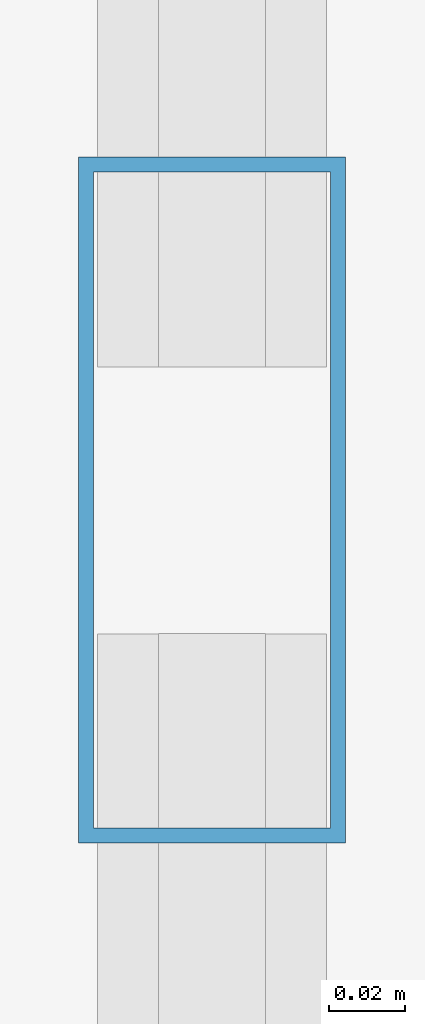
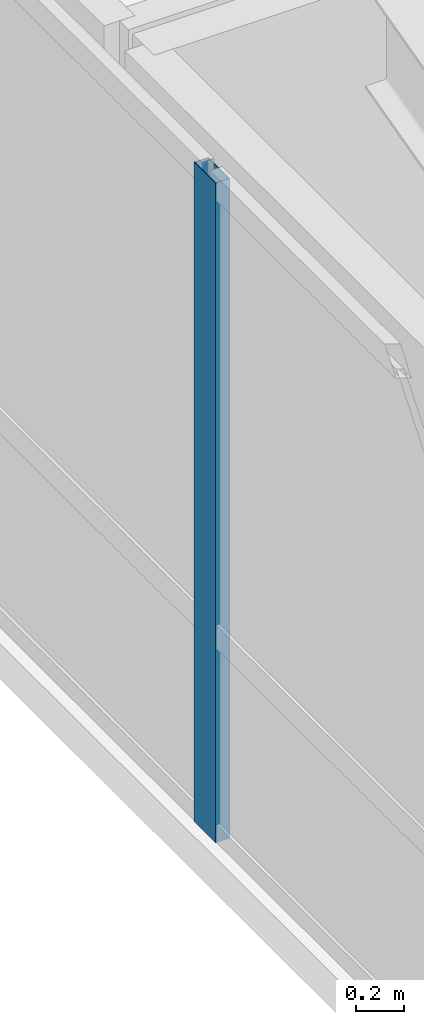
# One storey, part 13 of 24: 1 member, 1 element without a shape of its own.
"""IFC4 building model written with IfcOpenShell, lengths in metres."""

from ifc_helpers import new_model, si_unit, direction, frame, origin, origin_2d, place, context, subcontext, project, spatial, hollow_rectangle, extrude, source, transform, mapped, material, layer, layer_set, material_profile, profile_set, type_object, type_shapes, element, aggregate, save


model = new_model("IFC4")

# Units and contexts
model_context = context("Model", 3, precision=1e-05, world=origin(), true_north=direction((0.0, 1.0)))
body_context = subcontext(model_context, "Body", "Model", "MODEL_VIEW")
ifc_project = project(units=[si_unit("LENGTHUNIT", "METRE"), si_unit("AREAUNIT", "SQUARE_METRE"), si_unit("VOLUMEUNIT", "CUBIC_METRE"), si_unit("PLANEANGLEUNIT", "RADIAN"), si_unit("MASSUNIT", "GRAM", prefix="KILO")], contexts=[model_context])

# Site, building, storey
site_placement = place(None, origin())
site = spatial("IfcSite", under=ifc_project, at=site_placement, CompositionType="ELEMENT")
building_placement = place(site_placement, origin())
building = spatial("IfcBuilding", under=site, at=building_placement, Name="Tolvann Quenvar Hotel", CompositionType="ELEMENT")
storey_placement = place(building_placement, frame((0.0, 0.0, 194.64990234375)))
storey = spatial("IfcBuildingStorey", under=building, at=storey_placement, Name="L51", CompositionType="ELEMENT", Elevation=194.64990234375)

# Curtain wall, member
ifc_material_1 = material(Name="Thermally broken anodised architectural aluminium 6063-T6 and laminated low-E glass", Category="aluminium")
ifc_layer = layer(ifc_material_1, 0.179931640625)
ifc_layer_set = layer_set([ifc_layer], Name="Thermally broken anodised architectural aluminium 6063-T6 and laminated low-E glass")
curtain_wall_type = type_object("IfcCurtainWallType", Name="CW_SYS_BAND_04", PredefinedType="USERDEFINED", material=ifc_layer_set)
curtain_wall_placement = place(storey_placement, origin())
curtain_wall = element("IfcCurtainWall", 1, at=curtain_wall_placement, inside=storey, type_object=curtain_wall_type, Name="Curtain Wall CW-BAND-04 (CWR-L51-E23)", ObjectType="UNITISED CURTAIN WALL", PredefinedType="USERDEFINED")
ifc_material_2 = material(Name="Anodised architectural aluminium 6063-T6 framing", Category="aluminium")
ifc_material_profile = material_profile(ifc_material_2, hollow_rectangle(XDim=0.070068359375, YDim=0.179931640625, WallThickness=0.00390625, at=origin_2d()), Name="180x70x4RHS")
ifc_profile_set = profile_set([ifc_material_profile], Name="Anodised architectural aluminium 6063-T6 framing")
member_type = type_object("IfcMemberType", Name="CW_MULL_180x70", PredefinedType="MULLION", material=ifc_profile_set)
shared_shape = source(origin(), body_context, "Body", "SweptSolid", [
    extrude(hollow_rectangle(XDim=0.070068359375, YDim=0.179931640625, WallThickness=0.00390625, at=origin_2d()), origin(), (0.0, 0.0, 1.0), 3.3701171875),
])
type_shapes(member_type, [shared_shape])
member_placement = place(storey_placement, frame((2.68994140625, 37.26220703125, 0.0), z_axis=(0.0, 0.0, 1.0), x_axis=(1.0, 0.0, 0.0)))
member = element("IfcMember", 2, at=member_placement, type_object=member_type, Name="CW-BAND-04 mullion 2", PredefinedType="MULLION", context=body_context, shape_type="MappedRepresentation", body=[
    mapped(shared_shape, transform((0.0, 0.0, 0.0), x_axis=(1.0, 0.0, 0.0), y_axis=(0.0, 1.0, 0.0), z_axis=(0.0, 0.0, 1.0), scale=1.0)),
])
aggregate(curtain_wall, [member])

save(model, "model.ifc")
